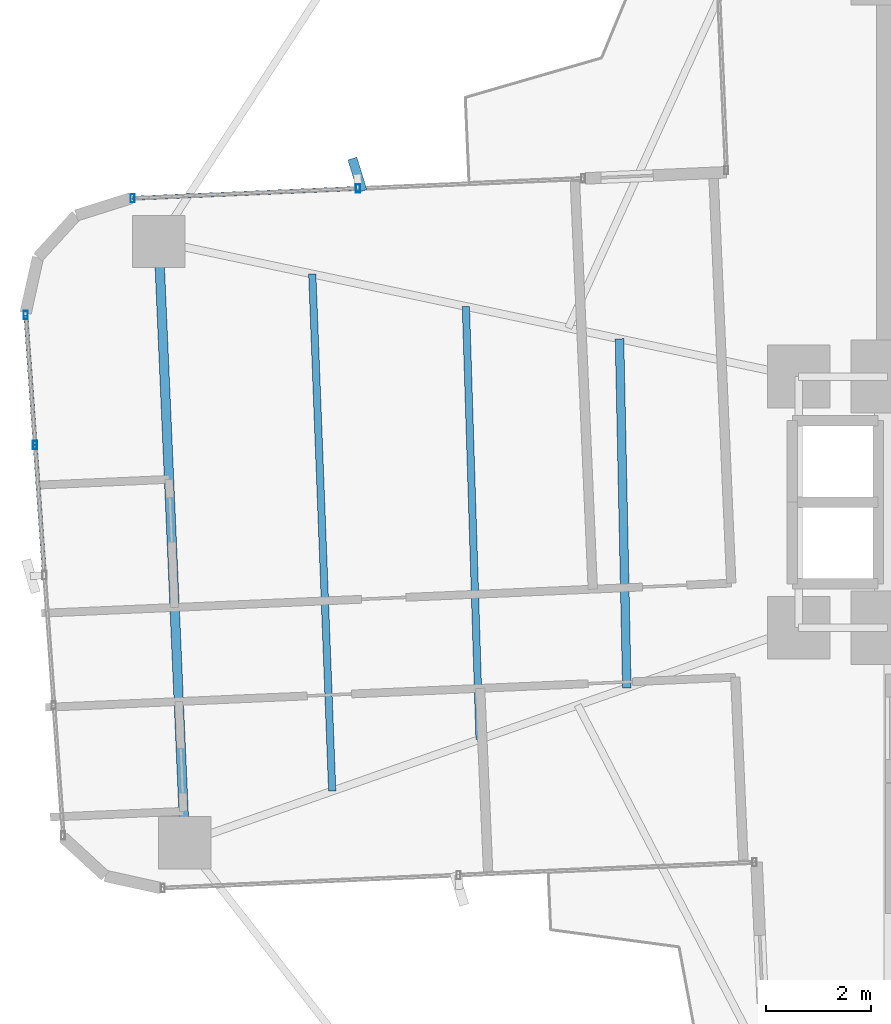
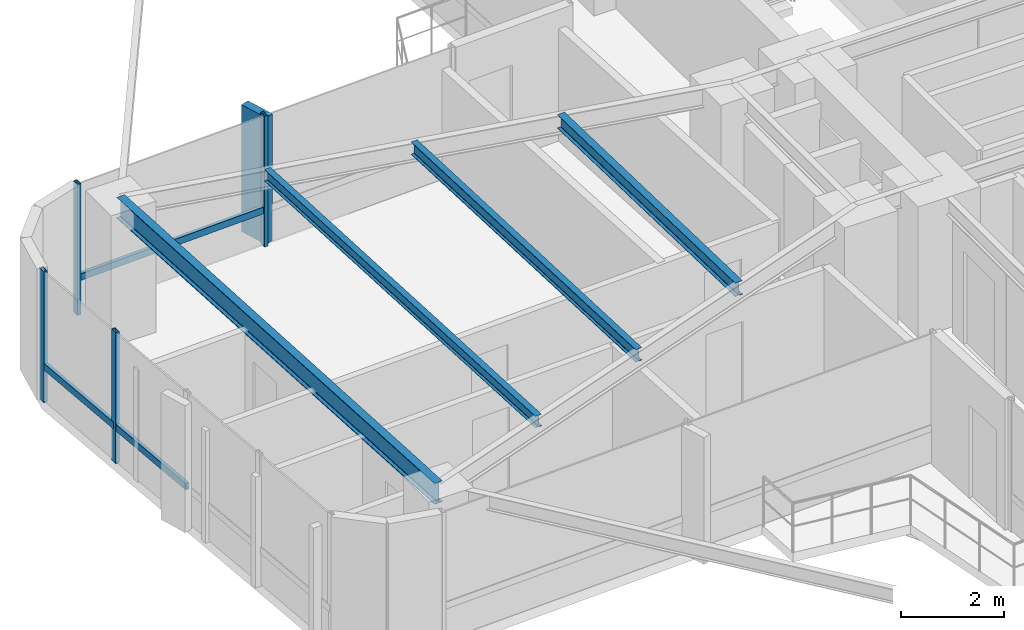
# One storey, part 9 of 26: 8 members, 4 beams, 2 elements without a shape of their own.
"""IFC4 building model written with IfcOpenShell, lengths in metres."""

from ifc_helpers import new_model, si_unit, direction, frame, origin, origin_2d, place, context, subcontext, project, spatial, rectangle, hollow_rectangle, i_section, extrude, source, transform, mapped, material, material_profile, profile_set, type_object, element, aggregate, save


model = new_model("IFC4")

# Units and contexts
model_context = context("Model", 3, precision=1e-05, world=origin(), true_north=direction((0.0, 1.0)))
body_context = subcontext(model_context, "Body", "Model", "MODEL_VIEW")
ifc_project = project(units=[si_unit("LENGTHUNIT", "METRE"), si_unit("AREAUNIT", "SQUARE_METRE"), si_unit("VOLUMEUNIT", "CUBIC_METRE"), si_unit("PLANEANGLEUNIT", "RADIAN"), si_unit("MASSUNIT", "GRAM", prefix="KILO")], contexts=[model_context])

# Site, building, storey
site_placement = place(None, origin())
site = spatial("IfcSite", under=ifc_project, at=site_placement, CompositionType="ELEMENT")
building_placement = place(site_placement, origin())
building = spatial("IfcBuilding", under=site, at=building_placement, Name="Sahyath Konkavel Grand Hotel", CompositionType="ELEMENT")
storey_placement = place(building_placement, frame((0.0, 0.0, 124.85009765625)))
storey = spatial("IfcBuildingStorey", under=building, at=storey_placement, Name="L34", CompositionType="ELEMENT", Elevation=124.85009765625)

# Beams
ifc_material_1 = material(Name="Steel E350", Category="steel")
ifc_material_profile_1 = material_profile(ifc_material_1, i_section(OverallWidth=0.179931640625, OverallDepth=0.5, WebThickness=0.01025390625, FlangeThickness=0.01708984375, FilletRadius=0.01708984375, at=origin_2d()), Name="ISMB 500")
ifc_profile_set_1 = profile_set([ifc_material_profile_1], Name="Steel E350")
beam_type_1 = type_object("IfcBeamType", Name="BM-ISMB500", PredefinedType="BEAM", material=ifc_profile_set_1)
shared_shape_1 = source(origin(), body_context, "Body", "SweptSolid", [
    extrude(i_section(OverallWidth=0.179931640625, OverallDepth=0.5, WebThickness=0.01025390625, FlangeThickness=0.01708984375, FilletRadius=0.01708984375, at=origin_2d()), origin(), (0.0, 0.0, 1.0), 11.5),
])
beam_1_placement = place(storey_placement, frame((-17.734130859375, 4.981201171875, 2.85986328125), z_axis=(0.043627008892, -0.99904788879, 0.0), x_axis=(0.99904788879, 0.043627008892, 0.0)))
element("IfcBeam", 1, at=beam_1_placement, inside=storey, type_object=beam_type_1, Name="L34 Wing Tip Edge Beam W", PredefinedType="BEAM", context=body_context, shape_type="MappedRepresentation", body=[
    mapped(shared_shape_1, transform((0.0, 0.0, 0.0), scale=1.0)),
])
ifc_material_profile_2 = material_profile(ifc_material_1, i_section(OverallWidth=0.1650390625, OverallDepth=0.324951171875, WebThickness=0.007080078125, FlangeThickness=0.009765625, FilletRadius=0.014892578125, at=origin_2d()), Name="ISLB 325")
ifc_profile_set_2 = profile_set([ifc_material_profile_2], Name="Steel E350")
beam_type_2 = type_object("IfcBeamType", Name="BM-ISLB325", PredefinedType="BEAM", material=ifc_profile_set_2)
shared_shape_2 = source(origin(), body_context, "Body", "SweptSolid", [
    extrude(i_section(OverallWidth=0.1650390625, OverallDepth=0.324951171875, WebThickness=0.007080078125, FlangeThickness=0.009765625, FilletRadius=0.014892578125, at=origin_2d()), origin(), (0.0, 0.0, 1.0), 6.674560546875),
])
beam_2_placement = place(storey_placement, frame((-8.925537109375, 3.122802734375, 2.947509765625), z_axis=(0.021032188543, -0.999778799058, 0.0), x_axis=(0.999778799058, 0.021032188543, 0.0)))
element("IfcBeam", 2, at=beam_2_placement, inside=storey, type_object=beam_type_2, Name="L34 Secondary Floor Beam W-1", PredefinedType="BEAM", context=body_context, shape_type="MappedRepresentation", body=[
    mapped(shared_shape_2, transform((0.0, 0.0, 0.0), scale=1.0)),
])
ifc_material_profile_3 = material_profile(ifc_material_1, i_section(OverallWidth=0.139892578125, OverallDepth=0.300048828125, WebThickness=0.0078125, FlangeThickness=0.01318359375, FilletRadius=0.013916015625, at=origin_2d()), Name="ISMB 300")
ifc_profile_set_3 = profile_set([ifc_material_profile_3], Name="Steel E350")
beam_type_3 = type_object("IfcBeamType", Name="BM-ISMB300", PredefinedType="BEAM", material=ifc_profile_set_3)
shared_shape_3 = source(origin(), body_context, "Body", "SweptSolid", [
    extrude(i_section(OverallWidth=0.139892578125, OverallDepth=0.300048828125, WebThickness=0.0078125, FlangeThickness=0.01318359375, FilletRadius=0.013916015625, at=origin_2d()), origin(), (0.0, 0.0, 1.0), 8.282470703125),
])
beam_3_placement = place(storey_placement, frame((-11.86181640625, 3.7421875, 2.9599609375), z_axis=(0.031510827707, -0.999503410568, 0.0), x_axis=(0.999503410568, 0.031510827707, 0.0)))
element("IfcBeam", 3, at=beam_3_placement, inside=storey, type_object=beam_type_3, Name="L34 Secondary Floor Beam W-2", PredefinedType="BEAM", context=body_context, shape_type="MappedRepresentation", body=[
    mapped(shared_shape_3, transform((0.0, 0.0, 0.0), scale=1.0)),
])
ifc_material_profile_4 = material_profile(ifc_material_1, i_section(OverallWidth=0.139892578125, OverallDepth=0.27490234375, WebThickness=0.00634765625, FlangeThickness=0.0087890625, FilletRadius=0.012939453125, at=origin_2d()), Name="ISLB 275")
ifc_profile_set_4 = profile_set([ifc_material_profile_4], Name="Steel E350")
beam_type_4 = type_object("IfcBeamType", Name="BM-ISLB275", PredefinedType="BEAM", material=ifc_profile_set_4)
shared_shape_4 = source(origin(), body_context, "Body", "SweptSolid", [
    extrude(i_section(OverallWidth=0.139892578125, OverallDepth=0.27490234375, WebThickness=0.00634765625, FlangeThickness=0.0087890625, FilletRadius=0.012939453125, at=origin_2d()), origin(), (0.0, 0.0, 1.0), 9.89111328125),
])
beam_4_placement = place(storey_placement, frame((-14.798095703125, 4.36181640625, 2.972412109375), z_axis=(0.03855445741, -0.999256500511, 0.0), x_axis=(0.999256500511, 0.03855445741, 0.0)))
element("IfcBeam", 4, at=beam_4_placement, inside=storey, type_object=beam_type_4, Name="L34 Secondary Floor Beam W-3", PredefinedType="BEAM", context=body_context, shape_type="MappedRepresentation", body=[
    mapped(shared_shape_4, transform((0.0, 0.0, 0.0), scale=1.0)),
])

# Curtain wall, members
ifc_material_2 = material(Name="Anodised Bronze Aluminium & Low-E Glazing", Category="aluminium")
curtain_wall_type = type_object("IfcCurtainWallType", Name="CW-ZONE2", PredefinedType="NOTDEFINED", material=ifc_material_2)
curtain_wall_1_placement = place(storey_placement, origin())
curtain_wall_1 = element("IfcCurtainWall", 5, at=curtain_wall_1_placement, inside=storey, type_object=curtain_wall_type, Name="L34 Unitised Curtain Wall F16", PredefinedType="NOTDEFINED")
ifc_material_3 = material(Name="Anodised Bronze Aluminium", Category="aluminium")
ifc_material_profile_5 = material_profile(ifc_material_3, hollow_rectangle(XDim=0.080078125, YDim=0.159912109375, WallThickness=0.006103515625, at=origin_2d()), Name="RHS 160x80x6")
ifc_profile_set_5 = profile_set([ifc_material_profile_5], Name="Anodised Bronze Aluminium")
member_type_1 = type_object("IfcMemberType", Name="CW-MUL-160", PredefinedType="MULLION", material=ifc_profile_set_5)
shared_shape_5 = source(origin(), body_context, "Body", "SweptSolid", [
    extrude(hollow_rectangle(XDim=0.080078125, YDim=0.159912109375, WallThickness=0.006103515625, at=origin_2d()), origin(), (0.0, 0.0, 1.0), 3.10986328125),
])
member_1_placement = place(storey_placement, frame((-13.9248046875, 5.998291015625, 0.0), z_axis=(0.0, 0.0, 1.0), x_axis=(1.0, 0.0, 0.0)))
member_1 = element("IfcMember", 6, at=member_1_placement, type_object=member_type_1, Name="L34 Curtain Wall Mullion F16-1", PredefinedType="MULLION", context=body_context, shape_type="MappedRepresentation", body=[
    mapped(shared_shape_5, transform((0.0, 0.0, 0.0), scale=1.0)),
])
member_2_placement = place(storey_placement, frame((-18.230712890625, 5.810302734375, 0.0), z_axis=(0.0, 0.0, 1.0), x_axis=(1.0, 0.0, 0.0)))
member_2 = element("IfcMember", 7, at=member_2_placement, type_object=member_type_1, Name="L34 Curtain Wall Mullion F16-2", PredefinedType="MULLION", context=body_context, shape_type="MappedRepresentation", body=[
    mapped(shared_shape_5, transform((0.0, 0.0, 0.0), scale=1.0)),
])

curtain_wall_2_placement = place(storey_placement, origin())
curtain_wall_2 = element("IfcCurtainWall", 8, at=curtain_wall_2_placement, inside=storey, type_object=curtain_wall_type, Name="L34 Unitised Curtain Wall F20", PredefinedType="NOTDEFINED")
member_3_placement = place(storey_placement, frame((-20.2744140625, 3.5791015625, 0.0), z_axis=(0.0, 0.0, 1.0), x_axis=(1.0, 0.0, 0.0)))
member_3 = element("IfcMember", 9, at=member_3_placement, type_object=member_type_1, Name="L34 Curtain Wall Mullion F20-0", PredefinedType="MULLION", context=body_context, shape_type="MappedRepresentation", body=[
    mapped(shared_shape_5, transform((0.0, 0.0, 0.0), scale=1.0)),
])
member_4_placement = place(storey_placement, frame((-20.095947265625, 1.092041015625, 0.0), z_axis=(0.0, 0.0, 1.0), x_axis=(1.0, 0.0, 0.0)))
member_4 = element("IfcMember", 10, at=member_4_placement, type_object=member_type_1, Name="L34 Curtain Wall Mullion F20-1", PredefinedType="MULLION", context=body_context, shape_type="MappedRepresentation", body=[
    mapped(shared_shape_5, transform((0.0, 0.0, 0.0), scale=1.0)),
])

# Member
ifc_material_4 = material(Name="Warm Buff Sandstone Cladding on Concrete C50/60", Category="masonry")
ifc_material_profile_6 = material_profile(ifc_material_4, rectangle(XDim=0.179931640625, YDim=0.64990234375, at=origin_2d()), Name="FIN 180x650")
ifc_profile_set_6 = profile_set([ifc_material_profile_6], Name="Warm Buff Sandstone Cladding on Concrete C50/60")
member_type_2 = type_object("IfcMemberType", Name="FIN-SANDSTONE-650", PredefinedType="MULLION", material=ifc_profile_set_6)
shared_shape_6 = source(origin(), body_context, "Body", "SweptSolid", [
    extrude(rectangle(XDim=0.179931640625, YDim=0.64990234375, at=origin_2d()), origin(), (0.0, 0.0, 1.0), 3.010009765625),
])
member_5_placement = place(storey_placement, frame((-13.936279296875, 6.258056640625, 0.0498046875), z_axis=(0.0, 0.0, 1.0), x_axis=(0.956151539415, 0.292872384621, 0.0)))
member_5 = element("IfcMember", 11, at=member_5_placement, type_object=member_type_2, Name="L34 Sandstone Vertical Solar Fin FIN F16-1", PredefinedType="MULLION", context=body_context, shape_type="MappedRepresentation", body=[
    mapped(shared_shape_6, transform((0.0, 0.0, 0.0), scale=1.0)),
])

ifc_material_profile_7 = material_profile(ifc_material_3, hollow_rectangle(XDim=0.080078125, YDim=0.159912109375, WallThickness=0.006103515625, at=origin_2d()), Name="RHS 160x80x6")
ifc_profile_set_7 = profile_set([ifc_material_profile_7], Name="Anodised Bronze Aluminium")
member_type_3 = type_object("IfcMemberType", Name="CW-TRN-160", PredefinedType="USERDEFINED", material=ifc_profile_set_7)
shared_shape_7 = source(origin(), body_context, "Body", "SweptSolid", [
    extrude(hollow_rectangle(XDim=0.080078125, YDim=0.159912109375, WallThickness=0.006103515625, at=origin_2d()), origin(), (0.0, 0.0, 1.0), 4.31005859375),
])
member_6_placement = place(storey_placement, frame((-13.9248046875, 5.998291015625, 0.849853515625), z_axis=(-0.999048340188, -0.043616670746, 0.0), x_axis=(0.043616670746, -0.999048340188, 0.0)))
member_6 = element("IfcMember", 12, at=member_6_placement, type_object=member_type_3, Name="L34 Curtain Wall Transom F16-1-spandrel", ObjectType="TRANSOM", PredefinedType="USERDEFINED", context=body_context, shape_type="MappedRepresentation", body=[
    mapped(shared_shape_7, transform((0.0, 0.0, 0.0), scale=1.0)),
])

aggregate(curtain_wall_1, [member_1, member_5, member_2, member_6])

shared_shape_8 = source(origin(), body_context, "Body", "SweptSolid", [
    extrude(hollow_rectangle(XDim=0.080078125, YDim=0.159912109375, WallThickness=0.006103515625, at=origin_2d()), origin(), (0.0, 0.0, 1.0), 2.493408203125),
])
member_7_placement = place(storey_placement, frame((-20.2744140625, 3.5791015625, 0.849853515625), z_axis=(0.071574084062, -0.997435286367, 0.0), x_axis=(0.997435286367, 0.071574084062, 0.0)))
member_7 = element("IfcMember", 13, at=member_7_placement, type_object=member_type_3, Name="L34 Curtain Wall Transom F20-0-spandrel", ObjectType="TRANSOM", PredefinedType="USERDEFINED", context=body_context, shape_type="MappedRepresentation", body=[
    mapped(shared_shape_8, transform((0.0, 0.0, 0.0), scale=1.0)),
])

member_8_placement = place(storey_placement, frame((-20.095947265625, 1.092041015625, 0.849853515625), z_axis=(0.071574084062, -0.997435286367, 0.0), x_axis=(0.997435286367, 0.071574084062, 0.0)))
member_8 = element("IfcMember", 14, at=member_8_placement, type_object=member_type_3, Name="L34 Curtain Wall Transom F20-1-spandrel", ObjectType="TRANSOM", PredefinedType="USERDEFINED", context=body_context, shape_type="MappedRepresentation", body=[
    mapped(shared_shape_8, transform((0.0, 0.0, 0.0), scale=1.0)),
])

aggregate(curtain_wall_2, [member_3, member_4, member_7, member_8])

save(model, "model.ifc")
